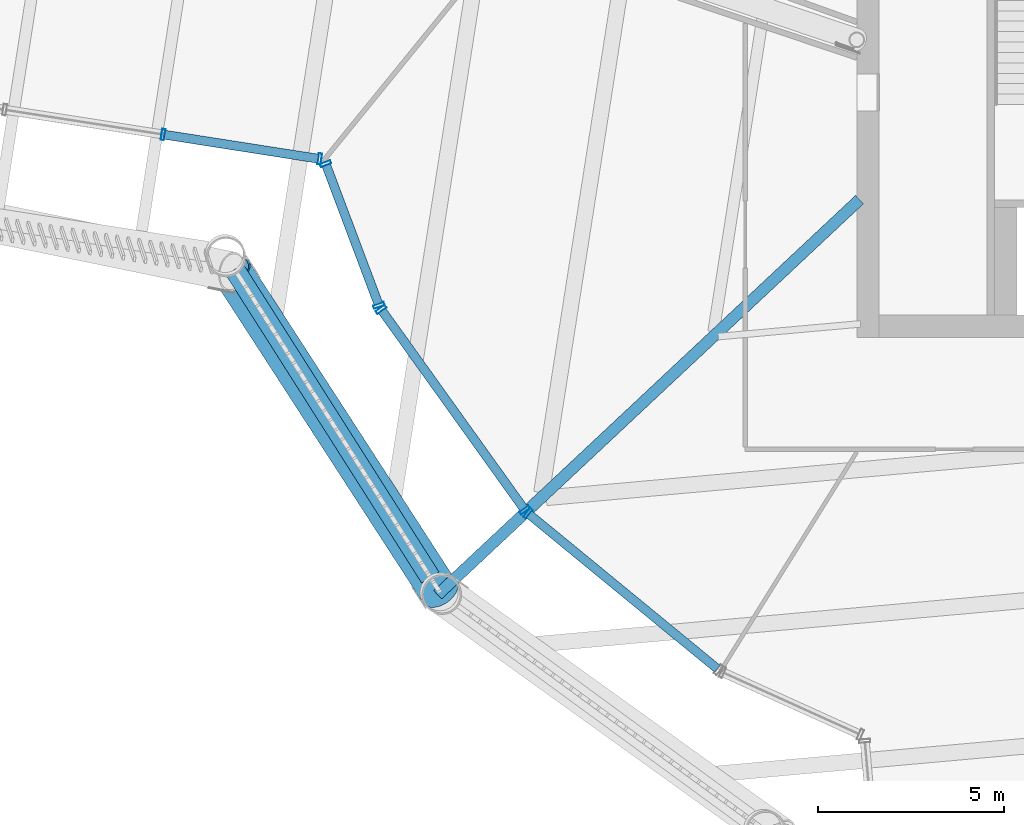
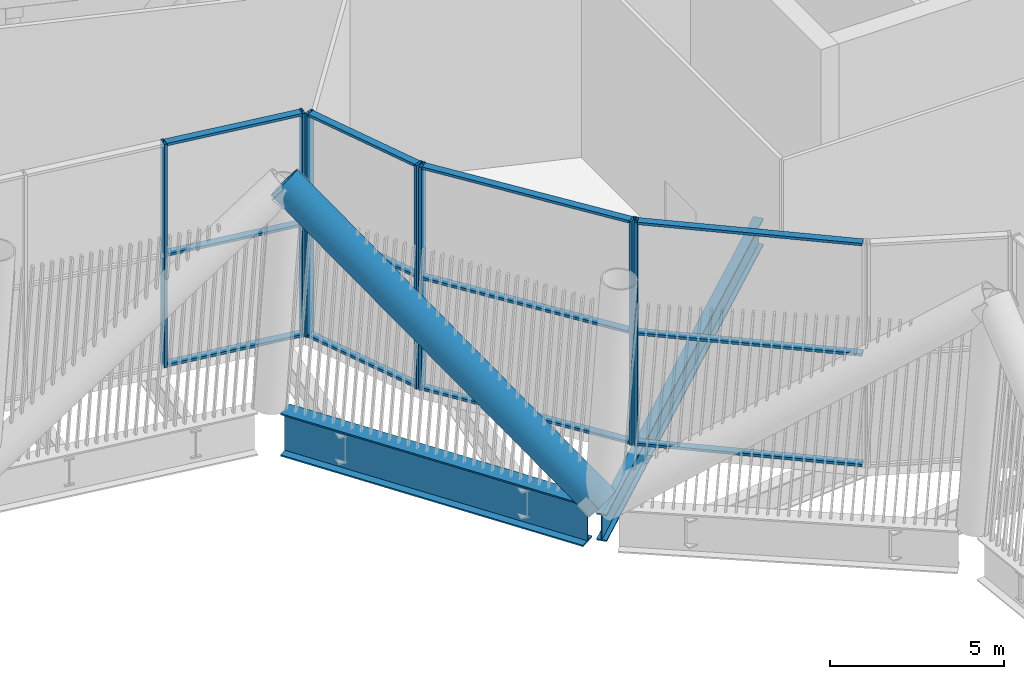
# One storey, part 12 of 55: 20 members, 2 beams, 4 elements without a shape of their own.
"""IFC4 building model written with IfcOpenShell, lengths in metres."""

from ifc_helpers import new_model, si_unit, direction, frame, origin, origin_2d, place, context, subcontext, project, spatial, hollow_rectangle, hollow_circle, i_section, extrude, material, layer, layer_set, material_profile, profile_set, type_object, element, aggregate, save


model = new_model("IFC4")

# Units and contexts
model_context = context("Model", 3, precision=1e-05, world=origin(), true_north=direction((0.0, 1.0)))
body_context = subcontext(model_context, "Body", "Model", "MODEL_VIEW")
ifc_project = project(units=[si_unit("LENGTHUNIT", "METRE"), si_unit("AREAUNIT", "SQUARE_METRE"), si_unit("VOLUMEUNIT", "CUBIC_METRE"), si_unit("PLANEANGLEUNIT", "RADIAN"), si_unit("MASSUNIT", "GRAM", prefix="KILO")], contexts=[model_context])

# Site, building, storey
site_placement = place(None, origin())
site = spatial("IfcSite", under=ifc_project, at=site_placement, CompositionType="ELEMENT")
building_placement = place(site_placement, origin())
building = spatial("IfcBuilding", under=site, at=building_placement, Name="Tarsis Ring Headquarters", CompositionType="ELEMENT")
storey_placement = place(building_placement, frame((0.0, 0.0, 247.199951171875)))
storey = spatial("IfcBuildingStorey", under=building, at=storey_placement, Name="L58", CompositionType="ELEMENT", Elevation=247.199951171875)

# Curtain wall, members
ifc_material_1 = material(Name="Aluminium curtain wall", Category="aluminium")
ifc_layer = layer(ifc_material_1, 0.300048828125)
ifc_layer_set = layer_set([ifc_layer], Name="Curtain wall upper sky lobby")
curtain_wall_type = type_object("IfcCurtainWallType", Name="Curtain wall upper sky lobby", PredefinedType="NOTDEFINED", material=ifc_layer_set)
curtain_wall_1_placement = place(storey_placement, origin())
curtain_wall_1 = element("IfcCurtainWall", 1, at=curtain_wall_1_placement, inside=storey, type_object=curtain_wall_type, Name="Curtain wall L58-01", PredefinedType="NOTDEFINED")
ifc_material_2 = material(Name="Aluminium mullion", Category="aluminium")
ifc_material_profile_1 = material_profile(ifc_material_2, hollow_rectangle(XDim=0.300048828125, YDim=0.090087890625, WallThickness=0.0048828125, at=origin_2d()), Name="RHS 300x90x5")
ifc_profile_set_1 = profile_set([ifc_material_profile_1], Name="Aluminium mullion")
member_type_1 = type_object("IfcMemberType", Name="Curtain wall mullion upper sky lobby RHS 300x90x5", PredefinedType="MULLION", material=ifc_profile_set_1)
member_1_placement = place(storey_placement, frame((-28.64306640625, -7.5439453125, 0.0), z_axis=(0.0, 0.0, 1.0), x_axis=(0.15436547798, 0.988013815292, 0.0)))
member_1 = element("IfcMember", 2, at=member_1_placement, type_object=member_type_1, Name="CW-U mullion 3", PredefinedType="MULLION", context=body_context, shape_type="SweptSolid", body=[
    extrude(hollow_rectangle(XDim=0.300048828125, YDim=0.090087890625, WallThickness=0.0048828125, at=origin_2d()), origin(), (0.0, 0.0, 1.0), 7.840087890625),
])
member_2_placement = place(storey_placement, frame((-24.431884765625, -8.201904296875, 0.0), z_axis=(0.0, 0.0, 1.0), x_axis=(0.15436547798, 0.988013815292, 0.0)))
member_2 = element("IfcMember", 3, at=member_2_placement, type_object=member_type_1, Name="CW-U mullion 4", PredefinedType="MULLION", context=body_context, shape_type="SweptSolid", body=[
    extrude(hollow_rectangle(XDim=0.300048828125, YDim=0.090087890625, WallThickness=0.0048828125, at=origin_2d()), origin(), (0.0, 0.0, 1.0), 7.840087890625),
])

curtain_wall_2_placement = place(storey_placement, origin())
curtain_wall_2 = element("IfcCurtainWall", 4, at=curtain_wall_2_placement, inside=storey, type_object=curtain_wall_type, Name="Curtain wall L58-02", PredefinedType="NOTDEFINED")
member_3_placement = place(storey_placement, frame((-24.27392578125, -8.330322265625, 0.0), z_axis=(0.0, 0.0, 1.0), x_axis=(0.935936608437, 0.352168517881, 0.0)))
member_3 = element("IfcMember", 5, at=member_3_placement, type_object=member_type_1, Name="CW-U mullion 1", PredefinedType="MULLION", context=body_context, shape_type="SweptSolid", body=[
    extrude(hollow_rectangle(XDim=0.300048828125, YDim=0.090087890625, WallThickness=0.0048828125, at=origin_2d()), origin(), (0.0, 0.0, 1.0), 7.840087890625),
])
member_4_placement = place(storey_placement, frame((-22.841552734375, -12.137451171875, 0.0), z_axis=(0.0, 0.0, 1.0), x_axis=(0.935936608437, 0.352168517881, 0.0)))
member_4 = element("IfcMember", 6, at=member_4_placement, type_object=member_type_1, Name="CW-U mullion 2", PredefinedType="MULLION", context=body_context, shape_type="SweptSolid", body=[
    extrude(hollow_rectangle(XDim=0.300048828125, YDim=0.090087890625, WallThickness=0.0048828125, at=origin_2d()), origin(), (0.0, 0.0, 1.0), 7.840087890625),
])

curtain_wall_3_placement = place(storey_placement, origin())
curtain_wall_3 = element("IfcCurtainWall", 7, at=curtain_wall_3_placement, inside=storey, type_object=curtain_wall_type, Name="Curtain wall L58-03", PredefinedType="NOTDEFINED")
member_5_placement = place(storey_placement, frame((-22.783935546875, -12.244873046875, 0.0), z_axis=(0.0, 0.0, 1.0), x_axis=(0.812897588573, 0.582406653888, 0.0)))
member_5 = element("IfcMember", 8, at=member_5_placement, type_object=member_type_1, Name="CW-U mullion 1", PredefinedType="MULLION", context=body_context, shape_type="SweptSolid", body=[
    extrude(hollow_rectangle(XDim=0.300048828125, YDim=0.090087890625, WallThickness=0.0048828125, at=origin_2d()), origin(), (0.0, 0.0, 1.0), 7.840087890625),
])
member_6_placement = place(storey_placement, frame((-18.921875, -17.635498046875, 0.0), z_axis=(0.0, 0.0, 1.0), x_axis=(0.812897588573, 0.582406653888, 0.0)))
member_6 = element("IfcMember", 9, at=member_6_placement, type_object=member_type_1, Name="CW-U mullion 2", PredefinedType="MULLION", context=body_context, shape_type="SweptSolid", body=[
    extrude(hollow_rectangle(XDim=0.300048828125, YDim=0.090087890625, WallThickness=0.0048828125, at=origin_2d()), origin(), (0.0, 0.0, 1.0), 7.840087890625),
])

# Curtain wall, member
curtain_wall_4_placement = place(storey_placement, origin())
curtain_wall_4 = element("IfcCurtainWall", 10, at=curtain_wall_4_placement, inside=storey, type_object=curtain_wall_type, Name="Curtain wall L58-04", PredefinedType="NOTDEFINED")
member_7_placement = place(storey_placement, frame((-18.83837890625, -17.724609375, 0.0), z_axis=(0.0, 0.0, 1.0), x_axis=(0.634460710658, 0.772955112947, 0.0)))
member_7 = element("IfcMember", 11, at=member_7_placement, type_object=member_type_1, Name="CW-U mullion 1", PredefinedType="MULLION", context=body_context, shape_type="SweptSolid", body=[
    extrude(hollow_rectangle(XDim=0.300048828125, YDim=0.090087890625, WallThickness=0.0048828125, at=origin_2d()), origin(), (0.0, 0.0, 1.0), 7.840087890625),
])

# Member
ifc_material_3 = material(Name="Aluminium transom", Category="aluminium")
ifc_material_profile_2 = material_profile(ifc_material_3, hollow_rectangle(XDim=0.239990234375, YDim=0.090087890625, WallThickness=0.0048828125, at=origin_2d()), Name="RHS 240x90x5")
ifc_profile_set_2 = profile_set([ifc_material_profile_2], Name="Aluminium transom")
member_type_2 = type_object("IfcMemberType", Name="Curtain wall transom upper sky lobby RHS 240x90x5", PredefinedType="USERDEFINED", material=ifc_profile_set_2)
member_8_placement = place(storey_placement, frame((-28.5986328125, -7.55078125, 0.045166015625), z_axis=(0.988014543768, -0.154360815307, 0.0), x_axis=(0.154360815307, 0.988014543768, 0.0)))
member_8 = element("IfcMember", 12, at=member_8_placement, type_object=member_type_2, Name="CW-U transom 3.1", ObjectType="TRANSOM", PredefinedType="USERDEFINED", context=body_context, shape_type="SweptSolid", body=[
    extrude(hollow_rectangle(XDim=0.239990234375, YDim=0.090087890625, WallThickness=0.0048828125, at=origin_2d()), origin(), (0.0, 0.0, 1.0), 4.17236328125),
])

member_9_placement = place(storey_placement, frame((-28.5986328125, -7.55078125, 3.920166015625), z_axis=(0.988014543768, -0.154360815307, 0.0), x_axis=(0.154360815307, 0.988014543768, 0.0)))
member_9 = element("IfcMember", 13, at=member_9_placement, type_object=member_type_2, Name="CW-U transom 3.2", ObjectType="TRANSOM", PredefinedType="USERDEFINED", context=body_context, shape_type="SweptSolid", body=[
    extrude(hollow_rectangle(XDim=0.239990234375, YDim=0.090087890625, WallThickness=0.0048828125, at=origin_2d()), origin(), (0.0, 0.0, 1.0), 4.17236328125),
])

member_10_placement = place(storey_placement, frame((-28.5986328125, -7.55078125, 7.795166015625), z_axis=(0.988014543768, -0.154360815307, 0.0), x_axis=(0.154360815307, 0.988014543768, 0.0)))
member_10 = element("IfcMember", 14, at=member_10_placement, type_object=member_type_2, Name="CW-U transom 3.3", ObjectType="TRANSOM", PredefinedType="USERDEFINED", context=body_context, shape_type="SweptSolid", body=[
    extrude(hollow_rectangle(XDim=0.239990234375, YDim=0.090087890625, WallThickness=0.0048828125, at=origin_2d()), origin(), (0.0, 0.0, 1.0), 4.17236328125),
])

aggregate(curtain_wall_1, [member_1, member_2, member_8, member_9, member_10])

member_11_placement = place(storey_placement, frame((-24.258056640625, -8.37255859375, 0.045166015625), z_axis=(0.352145696769, -0.935945195109, 0.0), x_axis=(0.935945195109, 0.352145696769, 0.0)))
member_11 = element("IfcMember", 15, at=member_11_placement, type_object=member_type_2, Name="CW-U transom 1.1", ObjectType="TRANSOM", PredefinedType="USERDEFINED", context=body_context, shape_type="SweptSolid", body=[
    extrude(hollow_rectangle(XDim=0.239990234375, YDim=0.090087890625, WallThickness=0.0048828125, at=origin_2d()), origin(), (0.0, 0.0, 1.0), 3.9775390625),
])

member_12_placement = place(storey_placement, frame((-24.258056640625, -8.37255859375, 3.920166015625), z_axis=(0.352145696769, -0.935945195109, 0.0), x_axis=(0.935945195109, 0.352145696769, 0.0)))
member_12 = element("IfcMember", 16, at=member_12_placement, type_object=member_type_2, Name="CW-U transom 1.2", ObjectType="TRANSOM", PredefinedType="USERDEFINED", context=body_context, shape_type="SweptSolid", body=[
    extrude(hollow_rectangle(XDim=0.239990234375, YDim=0.090087890625, WallThickness=0.0048828125, at=origin_2d()), origin(), (0.0, 0.0, 1.0), 3.9775390625),
])

member_13_placement = place(storey_placement, frame((-24.258056640625, -8.37255859375, 7.795166015625), z_axis=(0.352145696769, -0.935945195109, 0.0), x_axis=(0.935945195109, 0.352145696769, 0.0)))
member_13 = element("IfcMember", 17, at=member_13_placement, type_object=member_type_2, Name="CW-U transom 1.3", ObjectType="TRANSOM", PredefinedType="USERDEFINED", context=body_context, shape_type="SweptSolid", body=[
    extrude(hollow_rectangle(XDim=0.239990234375, YDim=0.090087890625, WallThickness=0.0048828125, at=origin_2d()), origin(), (0.0, 0.0, 1.0), 3.9775390625),
])

aggregate(curtain_wall_2, [member_3, member_4, member_11, member_12, member_13])

member_14_placement = place(storey_placement, frame((-22.7578125, -12.281494140625, 0.045166015625), z_axis=(0.582402635272, -0.812900467726, 0.0), x_axis=(0.812900467726, 0.582402635272, 0.0)))
member_14 = element("IfcMember", 18, at=member_14_placement, type_object=member_type_2, Name="CW-U transom 1.1", ObjectType="TRANSOM", PredefinedType="USERDEFINED", context=body_context, shape_type="SweptSolid", body=[
    extrude(hollow_rectangle(XDim=0.239990234375, YDim=0.090087890625, WallThickness=0.0048828125, at=origin_2d()), origin(), (0.0, 0.0, 1.0), 6.54150390625),
])

member_15_placement = place(storey_placement, frame((-22.7578125, -12.281494140625, 3.920166015625), z_axis=(0.582402635272, -0.812900467726, 0.0), x_axis=(0.812900467726, 0.582402635272, 0.0)))
member_15 = element("IfcMember", 19, at=member_15_placement, type_object=member_type_2, Name="CW-U transom 1.2", ObjectType="TRANSOM", PredefinedType="USERDEFINED", context=body_context, shape_type="SweptSolid", body=[
    extrude(hollow_rectangle(XDim=0.239990234375, YDim=0.090087890625, WallThickness=0.0048828125, at=origin_2d()), origin(), (0.0, 0.0, 1.0), 6.54150390625),
])

member_16_placement = place(storey_placement, frame((-22.7578125, -12.281494140625, 7.795166015625), z_axis=(0.582402635272, -0.812900467726, 0.0), x_axis=(0.812900467726, 0.582402635272, 0.0)))
member_16 = element("IfcMember", 20, at=member_16_placement, type_object=member_type_2, Name="CW-U transom 1.3", ObjectType="TRANSOM", PredefinedType="USERDEFINED", context=body_context, shape_type="SweptSolid", body=[
    extrude(hollow_rectangle(XDim=0.239990234375, YDim=0.090087890625, WallThickness=0.0048828125, at=origin_2d()), origin(), (0.0, 0.0, 1.0), 6.54150390625),
])

aggregate(curtain_wall_3, [member_5, member_6, member_14, member_15, member_16])

member_17_placement = place(storey_placement, frame((-18.8037109375, -17.753173828125, 0.045166015625), z_axis=(0.772956980212, -0.634458435788, 0.0), x_axis=(0.634458435788, 0.772956980212, 0.0)))
member_17 = element("IfcMember", 21, at=member_17_placement, type_object=member_type_2, Name="CW-U transom 1.1", ObjectType="TRANSOM", PredefinedType="USERDEFINED", context=body_context, shape_type="SweptSolid", body=[
    extrude(hollow_rectangle(XDim=0.239990234375, YDim=0.090087890625, WallThickness=0.0048828125, at=origin_2d()), origin(), (0.0, 0.0, 1.0), 6.541748046875),
])

member_18_placement = place(storey_placement, frame((-18.8037109375, -17.753173828125, 3.920166015625), z_axis=(0.772956980212, -0.634458435788, 0.0), x_axis=(0.634458435788, 0.772956980212, 0.0)))
member_18 = element("IfcMember", 22, at=member_18_placement, type_object=member_type_2, Name="CW-U transom 1.2", ObjectType="TRANSOM", PredefinedType="USERDEFINED", context=body_context, shape_type="SweptSolid", body=[
    extrude(hollow_rectangle(XDim=0.239990234375, YDim=0.090087890625, WallThickness=0.0048828125, at=origin_2d()), origin(), (0.0, 0.0, 1.0), 6.541748046875),
])

member_19_placement = place(storey_placement, frame((-18.8037109375, -17.753173828125, 7.795166015625), z_axis=(0.772956980212, -0.634458435788, 0.0), x_axis=(0.634458435788, 0.772956980212, 0.0)))
member_19 = element("IfcMember", 23, at=member_19_placement, type_object=member_type_2, Name="CW-U transom 1.3", ObjectType="TRANSOM", PredefinedType="USERDEFINED", context=body_context, shape_type="SweptSolid", body=[
    extrude(hollow_rectangle(XDim=0.239990234375, YDim=0.090087890625, WallThickness=0.0048828125, at=origin_2d()), origin(), (0.0, 0.0, 1.0), 6.541748046875),
])

aggregate(curtain_wall_4, [member_7, member_17, member_18, member_19])

# Beam
ifc_material_4 = material(Name="Structural steel S355", Category="steel")
ifc_material_profile_3 = material_profile(ifc_material_4, i_section(OverallWidth=0.309814453125, OverallDepth=0.949951171875, WebThickness=0.0244140625, FlangeThickness=0.0439453125, at=origin_2d()), Name="W36x256")
ifc_profile_set_3 = profile_set([ifc_material_profile_3], Name="Structural steel S355")
beam_type_1 = type_object("IfcBeamType", Name="FB Floor beam W36x256 spine", PredefinedType="BEAM", material=ifc_profile_set_3)
beam_1_placement = place(storey_placement, frame((-9.927001953125, -9.296142578125, -0.77490234375), z_axis=(-0.72993263172, -0.683519094942, 0.0), x_axis=(0.683519094942, -0.72993263172, 0.0)))
element("IfcBeam", 24, at=beam_1_placement, inside=storey, type_object=beam_type_1, Name="Floor beam SB11", PredefinedType="BEAM", context=body_context, shape_type="SweptSolid", body=[
    extrude(i_section(OverallWidth=0.309814453125, OverallDepth=0.949951171875, WebThickness=0.0244140625, FlangeThickness=0.0439453125, at=origin_2d()), origin(), (0.0, 0.0, 1.0), 15.533203125),
])

# Member
ifc_material_profile_4 = material_profile(ifc_material_4, hollow_circle(Radius=0.533447265625, WallThickness=0.044921875, at=origin_2d()), Name="CHS 1067x45")
ifc_profile_set_4 = profile_set([ifc_material_profile_4], Name="Structural steel S355")
member_type_3 = type_object("IfcMemberType", Name="TD Belt truss diagonal CHS 1067x45", PredefinedType="BRACE", material=ifc_profile_set_4)
member_20_placement = place(storey_placement, frame((-21.203125, -19.85546875, 0.0), z_axis=(-0.428968523397, 0.662184298116, 0.61440862727), x_axis=(-0.839283121707, -0.543694621656, 0.0)))
element("IfcMember", 25, at=member_20_placement, inside=storey, type_object=member_type_3, Name="Belt truss diagonal TD5", PredefinedType="BRACE", context=body_context, shape_type="SweptSolid", body=[
    extrude(hollow_circle(Radius=0.533447265625, WallThickness=0.044921875, at=origin_2d()), origin(), (0.0, 0.0, 1.0), 13.020751953125),
])

# Beam
ifc_material_profile_5 = material_profile(ifc_material_4, i_section(OverallWidth=0.550048828125, OverallDepth=1.5, WebThickness=0.030029296875, FlangeThickness=0.050048828125, at=origin_2d()), Name="PG 1500x550x30x50")
ifc_profile_set_5 = profile_set([ifc_material_profile_5], Name="Structural steel S355")
beam_type_2 = type_object("IfcBeamType", Name="XG Ring girder PG 1500x550x30x50", PredefinedType="BEAM", material=ifc_profile_set_5)
beam_2_placement = place(storey_placement, frame((-26.72314453125, -11.16943359375, -0.75), z_axis=(0.536347287618, -0.843997385698, 0.0), x_axis=(0.843997385698, 0.536347287618, 0.0)))
element("IfcBeam", 26, at=beam_2_placement, inside=storey, type_object=beam_type_2, Name="Ring girder XG6", PredefinedType="BEAM", context=body_context, shape_type="SweptSolid", body=[
    extrude(i_section(OverallWidth=0.550048828125, OverallDepth=1.5, WebThickness=0.030029296875, FlangeThickness=0.050048828125, at=origin_2d()), origin(), (0.0, 0.0, 1.0), 9.811767578125),
])

save(model, "model.ifc")
